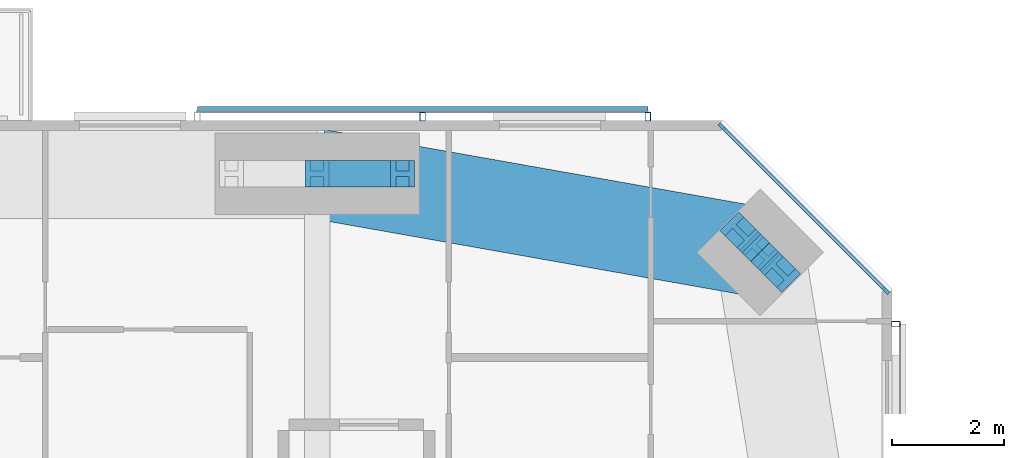
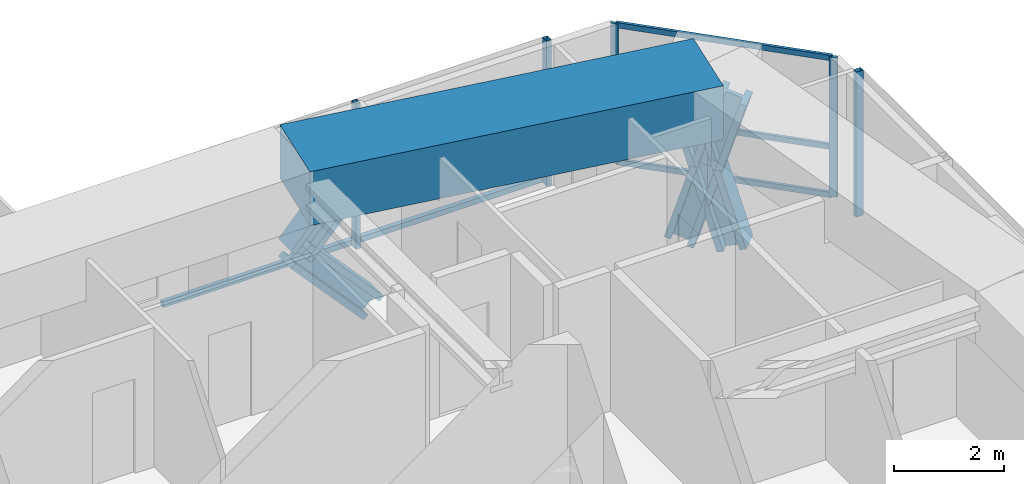
# One storey, part 13 of 23: 15 members, 1 beam, 3 elements without a shape of their own.
"""IFC4 building model written with IfcOpenShell, lengths in metres."""

from ifc_helpers import new_model, si_unit, direction, frame, origin, origin_2d, place, context, subcontext, project, spatial, rectangle, hollow_rectangle, i_section, extrude, material, material_profile, profile_set, type_object, element, aggregate, save


model = new_model("IFC4")

# Units and contexts
model_context = context("Model", 3, precision=1e-05, world=origin(), true_north=direction((0.0, 1.0)))
body_context = subcontext(model_context, "Body", "Model", "MODEL_VIEW")
ifc_project = project(units=[si_unit("LENGTHUNIT", "METRE"), si_unit("AREAUNIT", "SQUARE_METRE"), si_unit("VOLUMEUNIT", "CUBIC_METRE"), si_unit("PLANEANGLEUNIT", "RADIAN"), si_unit("MASSUNIT", "GRAM", prefix="KILO")], contexts=[model_context])

# Site, building, storey
site_placement = place(None, origin())
site = spatial("IfcSite", under=ifc_project, at=site_placement, CompositionType="ELEMENT")
building_placement = place(site_placement, origin())
building = spatial("IfcBuilding", under=site, at=building_placement, Name="Jalousie Tower", CompositionType="ELEMENT")
storey_placement = place(building_placement, frame((0.0, 0.0, 194.550048828125)))
storey = spatial("IfcBuildingStorey", under=building, at=storey_placement, Name="L53", CompositionType="ELEMENT", Elevation=194.550048828125)

# Curtain wall, members
ifc_material_1 = material(Name="Aluminium curtain wall", Category="aluminium")
curtain_wall_type_1 = type_object("IfcCurtainWallType", Name="CORNER WINDOW WALL", PredefinedType="USERDEFINED", material=ifc_material_1)
curtain_wall_1_placement = place(storey_placement, origin())
curtain_wall_1 = element("IfcCurtainWall", 1, at=curtain_wall_1_placement, inside=storey, type_object=curtain_wall_type_1, Name="Corner Window Wall L53 4", ObjectType="CORNER WINDOW WALL", PredefinedType="USERDEFINED")
ifc_material_2 = material(Name="Aluminium mullion", Category="aluminium")
ifc_material_profile_1 = material_profile(ifc_material_2, rectangle(XDim=0.06005859375, YDim=0.14990234375, at=origin_2d()), Name="MULLION 60x150")
ifc_profile_set_1 = profile_set([ifc_material_profile_1], Name="Aluminium mullion")
member_type_1 = type_object("IfcMemberType", Name="CORNER WINDOW WALL MULLION", PredefinedType="MULLION", material=ifc_profile_set_1)
member_1_placement = place(storey_placement, frame((52.891357421875, 32.969970703125, 0.0), z_axis=(0.0, 0.0, 1.0), x_axis=(-0.707106781187, -0.707106781187, 0.0)))
member_1 = element("IfcMember", 2, at=member_1_placement, type_object=member_type_1, Name="CW-C mullion 1", PredefinedType="MULLION", context=body_context, shape_type="SweptSolid", body=[
    extrude(rectangle(XDim=0.06005859375, YDim=0.14990234375, at=origin_2d()), origin(), (0.0, 0.0, 1.0), 3.10986328125),
])
member_2_placement = place(storey_placement, frame((49.969970703125, 35.891357421875, 0.0), z_axis=(0.0, 0.0, 1.0), x_axis=(-0.707106781187, -0.707106781187, 0.0)))
member_2 = element("IfcMember", 3, at=member_2_placement, type_object=member_type_1, Name="CW-C mullion 2", PredefinedType="MULLION", context=body_context, shape_type="SweptSolid", body=[
    extrude(rectangle(XDim=0.06005859375, YDim=0.14990234375, at=origin_2d()), origin(), (0.0, 0.0, 1.0), 3.10986328125),
])
ifc_material_3 = material(Name="Aluminium transom", Category="aluminium")
ifc_material_profile_2 = material_profile(ifc_material_3, rectangle(XDim=0.06005859375, YDim=0.1201171875, at=origin_2d()), Name="TRANSOM 60x120")
ifc_profile_set_2 = profile_set([ifc_material_profile_2], Name="Aluminium transom")
member_type_2 = type_object("IfcMemberType", Name="CORNER WINDOW WALL TRANSOM", PredefinedType="USERDEFINED", material=ifc_profile_set_2)
member_3_placement = place(storey_placement, frame((52.8701171875, 32.9912109375, 0.030029296875), z_axis=(-0.707106781187, 0.707106781187, 0.0), x_axis=(-0.707106781187, -0.707106781187, 0.0)))
member_3 = element("IfcMember", 4, at=member_3_placement, type_object=member_type_2, Name="CW-C transom 1.1", ObjectType="TRANSOM", PredefinedType="USERDEFINED", context=body_context, shape_type="SweptSolid", body=[
    extrude(rectangle(XDim=0.06005859375, YDim=0.1201171875, at=origin_2d()), origin(), (0.0, 0.0, 1.0), 4.0712890625),
])
member_4_placement = place(storey_placement, frame((52.8701171875, 32.9912109375, 1.099853515625), z_axis=(-0.707106781187, 0.707106781187, 0.0), x_axis=(-0.707106781187, -0.707106781187, 0.0)))
member_4 = element("IfcMember", 5, at=member_4_placement, type_object=member_type_2, Name="CW-C transom 1.2", ObjectType="TRANSOM", PredefinedType="USERDEFINED", context=body_context, shape_type="SweptSolid", body=[
    extrude(rectangle(XDim=0.06005859375, YDim=0.1201171875, at=origin_2d()), origin(), (0.0, 0.0, 1.0), 4.0712890625),
])
member_5_placement = place(storey_placement, frame((52.8701171875, 32.9912109375, 3.079833984375), z_axis=(-0.707106781187, 0.707106781187, 0.0), x_axis=(-0.707106781187, -0.707106781187, 0.0)))
member_5 = element("IfcMember", 6, at=member_5_placement, type_object=member_type_2, Name="CW-C transom 1.3", ObjectType="TRANSOM", PredefinedType="USERDEFINED", context=body_context, shape_type="SweptSolid", body=[
    extrude(rectangle(XDim=0.06005859375, YDim=0.1201171875, at=origin_2d()), origin(), (0.0, 0.0, 1.0), 4.0712890625),
])
aggregate(curtain_wall_1, [member_1, member_2, member_3, member_4, member_5])

# Members
ifc_material_4 = material(Name="Steel ASTM A992 Grade 50", Category="steel")
ifc_material_profile_3 = material_profile(ifc_material_4, i_section(OverallWidth=0.472412109375, OverallDepth=0.5791015625, WebThickness=0.094970703125, FlangeThickness=0.1298828125, at=origin_2d()), Name="W14X808")
ifc_profile_set_3 = profile_set([ifc_material_profile_3], Name="Steel ASTM A992 Grade 50")
member_type_3 = type_object("IfcMemberType", Name="PERIMETER BRACE W14X808", PredefinedType="BRACE", material=ifc_profile_set_3)
for number, where, z_axis, x_axis, name in (
    (7, (51.0048828125, 33.2978515625, -0.60009765625), (-0.202092742837, 0.202372069365, 0.958229653493), (-0.707594945859, -0.706618279267, 0.0), "Perimeter brace 08 L53 part 1"),
    (8, (50.651611328125, 33.651611328125, 1.074951171875), (-0.202372069365, 0.202092742837, 0.958229653493), (-0.706618279267, -0.707594945859, 0.0), "Perimeter brace 08 L53 part 2"),
    (9, (50.2978515625, 34.0048828125, -0.60009765625), (0.202372069365, -0.202092742837, 0.958229653493), (0.706618279267, 0.707594945859, 0.0), "Perimeter brace 08 L53 part 3"),
    (10, (50.651611328125, 33.651611328125, 1.074951171875), (0.202092742837, -0.202372069365, 0.958229653493), (0.707594945859, 0.706618279267, 0.0), "Perimeter brace 08 L53 part 4"),
):
    element("IfcMember", number, at=place(storey_placement, frame(where, z_axis=z_axis, x_axis=x_axis)), inside=storey, type_object=member_type_3, Name=name, PredefinedType="BRACE", context=body_context, shape_type="SweptSolid", body=[
        extrude(i_section(OverallWidth=0.472412109375, OverallDepth=0.5791015625, WebThickness=0.094970703125, FlangeThickness=0.1298828125, at=origin_2d()), origin(), (0.0, 0.0, 1.0), 1.748046875),
    ])
for number, where, z_axis, x_axis, name in (
    (11, (42.75, 35.050048828125, 1.074951171875), (0.673187629365, 0.0, 0.739471713908), (0.0, 1.0, 0.0), "Perimeter brace 09 L53 part 2"),
    (12, (44.27490234375, 35.050048828125, -0.60009765625), (-0.673187629365, 0.0, 0.739471713908), (0.0, -1.0, 0.0), "Perimeter brace 09 L53 part 3"),
):
    element("IfcMember", number, at=place(storey_placement, frame(where, z_axis=z_axis, x_axis=x_axis)), inside=storey, type_object=member_type_3, Name=name, PredefinedType="BRACE", context=body_context, shape_type="SweptSolid", body=[
        extrude(i_section(OverallWidth=0.472412109375, OverallDepth=0.5791015625, WebThickness=0.094970703125, FlangeThickness=0.1298828125, at=origin_2d()), origin(), (0.0, 0.0, 1.0), 2.26513671875),
    ])

# Beam
ifc_material_5 = material(Name="Concrete f'c 40 MPa", Category="concrete")
ifc_material_profile_4 = material_profile(ifc_material_5, rectangle(XDim=1.60009765625, YDim=1.199951171875, at=origin_2d()), Name="RC 1600x1200")
ifc_profile_set_4 = profile_set([ifc_material_profile_4], Name="Concrete f'c 40 MPa")
beam_type = type_object("IfcBeamType", Name="RC BEAM 1600x1200", PredefinedType="BEAM", material=ifc_profile_set_4)
beam_placement = place(storey_placement, frame((50.651611328125, 33.651611328125, 2.75), z_axis=(-0.984697370688, 0.174273027632, 0.0), x_axis=(-0.174273027632, -0.984697370688, 0.0)))
element("IfcBeam", 13, at=beam_placement, inside=storey, type_object=beam_type, Name="Edge band beam 08-09 under L54", PredefinedType="BEAM", context=body_context, shape_type="SweptSolid", body=[
    extrude(rectangle(XDim=1.60009765625, YDim=1.199951171875, at=origin_2d()), origin(), (0.0, 0.0, 1.0), 8.0244140625),
])

# Curtain wall, member
ifc_material_6 = material(Name="Perforated aluminium sheet", Category="aluminium")
curtain_wall_type_2 = type_object("IfcCurtainWallType", Name="SOLAR SCREEN SS-1", PredefinedType="USERDEFINED", material=ifc_material_6)
curtain_wall_2_placement = place(storey_placement, origin())
curtain_wall_2 = element("IfcCurtainWall", 14, at=curtain_wall_2_placement, inside=storey, type_object=curtain_wall_type_2, Name="Solar screen L53", ObjectType="SOLAR SCREEN SS-1", PredefinedType="USERDEFINED")
ifc_material_7 = material(Name="Steel ASTM A500 Grade C", Category="steel")
ifc_material_profile_5 = material_profile(ifc_material_7, hollow_rectangle(XDim=0.1015625, YDim=0.15234375, WallThickness=0.00634765625, at=origin_2d()), Name="HSS6X4X1/4")
ifc_profile_set_5 = profile_set([ifc_material_profile_5], Name="Steel ASTM A500 Grade C")
member_type_4 = type_object("IfcMemberType", Name="SOLAR SCREEN SS-1 MULLION", PredefinedType="MULLION", material=ifc_profile_set_5)
member_6_placement = place(storey_placement, frame((53.0712890625, 32.3701171875, -0.1201171875), z_axis=(0.0, 0.0, 1.0), x_axis=(0.0, 1.0, 0.0)))
member_6 = element("IfcMember", 15, at=member_6_placement, type_object=member_type_4, Name="SS1 post 2", PredefinedType="MULLION", context=body_context, shape_type="SweptSolid", body=[
    extrude(hollow_rectangle(XDim=0.1015625, YDim=0.15234375, WallThickness=0.00634765625, at=origin_2d()), origin(), (0.0, 0.0, 1.0), 3.22998046875),
])
aggregate(curtain_wall_2, [member_6])

# Curtain wall, members
curtain_wall_3_placement = place(storey_placement, origin())
curtain_wall_3 = element("IfcCurtainWall", 16, at=curtain_wall_3_placement, inside=storey, type_object=curtain_wall_type_2, Name="Solar screen L53", ObjectType="SOLAR SCREEN SS-1", PredefinedType="USERDEFINED")
member_7_placement = place(storey_placement, frame((48.64990234375, 36.0712890625, -0.1201171875), z_axis=(0.0, 0.0, 1.0), x_axis=(-1.0, 0.0, 0.0)))
member_7 = element("IfcMember", 17, at=member_7_placement, type_object=member_type_4, Name="SS1 post 1", PredefinedType="MULLION", context=body_context, shape_type="SweptSolid", body=[
    extrude(hollow_rectangle(XDim=0.1015625, YDim=0.15234375, WallThickness=0.00634765625, at=origin_2d()), origin(), (0.0, 0.0, 1.0), 3.22998046875),
])
member_8_placement = place(storey_placement, frame((44.631103515625, 36.0712890625, -0.1201171875), z_axis=(0.0, 0.0, 1.0), x_axis=(-1.0, 0.0, 0.0)))
member_8 = element("IfcMember", 18, at=member_8_placement, type_object=member_type_4, Name="SS1 post 2", PredefinedType="MULLION", context=body_context, shape_type="SweptSolid", body=[
    extrude(hollow_rectangle(XDim=0.1015625, YDim=0.15234375, WallThickness=0.00634765625, at=origin_2d()), origin(), (0.0, 0.0, 1.0), 3.22998046875),
])
ifc_material_8 = material(Name="Extruded aluminium screen rail", Category="aluminium")
ifc_material_profile_6 = material_profile(ifc_material_8, rectangle(XDim=0.1015625, YDim=0.1201171875, at=origin_2d()), Name="RAIL 102x120")
ifc_profile_set_6 = profile_set([ifc_material_profile_6], Name="Extruded aluminium screen rail")
member_type_5 = type_object("IfcMemberType", Name="SOLAR SCREEN SS-1 TRANSOM", PredefinedType="USERDEFINED", material=ifc_profile_set_6)
member_9_placement = place(storey_placement, frame((48.64990234375, 36.1982421875, -0.06005859375), z_axis=(-1.0, 0.0, 0.0), x_axis=(0.0, -1.0, 0.0)))
member_9 = element("IfcMember", 19, at=member_9_placement, type_object=member_type_5, Name="SS1 rail", ObjectType="TRANSOM", PredefinedType="USERDEFINED", context=body_context, shape_type="SweptSolid", body=[
    extrude(rectangle(XDim=0.1015625, YDim=0.1201171875, at=origin_2d()), origin(), (0.0, 0.0, 1.0), 8.037353515625),
])
aggregate(curtain_wall_3, [member_7, member_8, member_9])

save(model, "model.ifc")
